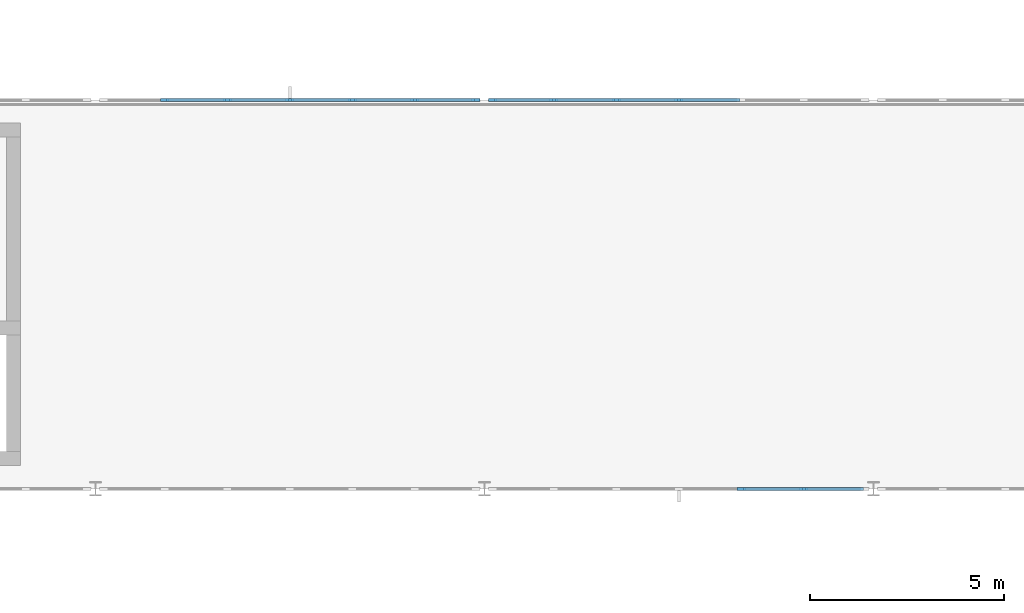
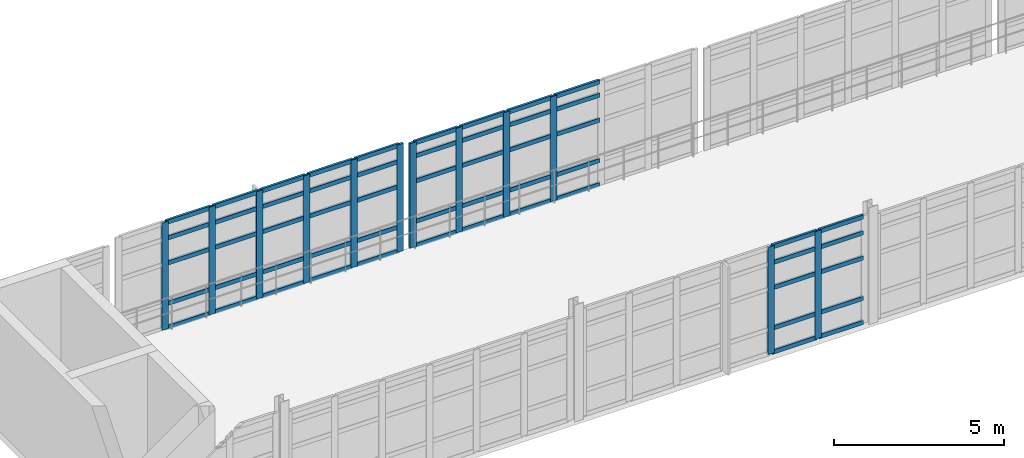
# One storey, part 42 of 122: 67 members, 3 elements without a shape of their own.
"""IFC4 building model written with IfcOpenShell, lengths in metres."""

from ifc_helpers import new_model, si_unit, direction, frame, origin, origin_2d, place, context, subcontext, project, spatial, rectangle, extrude, material, layer, layer_set, material_profile, profile_set, type_object, element, aggregate, save


model = new_model("IFC4")

# Units and contexts
model_context = context("Model", 3, precision=1e-05, world=origin(), true_north=direction((0.0, 1.0)))
body_context = subcontext(model_context, "Body", "Model", "MODEL_VIEW")
ifc_project = project(units=[si_unit("LENGTHUNIT", "METRE"), si_unit("AREAUNIT", "SQUARE_METRE"), si_unit("VOLUMEUNIT", "CUBIC_METRE"), si_unit("PLANEANGLEUNIT", "RADIAN"), si_unit("MASSUNIT", "GRAM", prefix="KILO"), si_unit("THERMODYNAMICTEMPERATUREUNIT", "KELVIN"), si_unit("POWERUNIT", "WATT")], contexts=[model_context])

# Site, building, storey
site_placement = place(None, origin())
site = spatial("IfcSite", under=ifc_project, at=site_placement, CompositionType="ELEMENT")
building_placement = place(site_placement, origin())
building = spatial("IfcBuilding", under=site, at=building_placement, Name="Korenveer Ferry Terminal", CompositionType="ELEMENT")
storey_placement = place(building_placement, frame((0.0, 0.0, 10.199951171875)))
storey = spatial("IfcBuildingStorey", under=building, at=storey_placement, Name="L02", CompositionType="ELEMENT", Elevation=10.199951171875)

# Curtain wall, members
ifc_material_1 = material(Name="Unitised bronze-and-glass curtain wall", Category="glass")
ifc_layer_1 = layer(ifc_material_1, 0.219970703125)
ifc_layer_set_1 = layer_set([ifc_layer_1], Name="Unitised bronze-and-glass curtain wall")
curtain_wall_type_1 = type_object("IfcCurtainWallType", Name="ENV-CW-92", PredefinedType="USERDEFINED", material=ifc_layer_set_1)
curtain_wall_1_placement = place(storey_placement, frame((73.179931640625, 50.0, 0.0)))
curtain_wall_1 = element("IfcCurtainWall", 1, at=curtain_wall_1_placement, inside=storey, type_object=curtain_wall_type_1, Name="Lancet curtain wall CWX-L02-X73-83-Y50-50", ObjectType="UNITISED CURTAIN WALL", PredefinedType="USERDEFINED")
ifc_material_2 = material(Name="Anodised bronze aluminium", Category="aluminium")
ifc_material_profile_1 = material_profile(ifc_material_2, rectangle(XDim=0.074951171875, YDim=0.219970703125, at=origin_2d()), Name="ALU 75x220")
ifc_profile_set_1 = profile_set([ifc_material_profile_1], Name="Anodised bronze aluminium")
member_type_1 = type_object("IfcMemberType", Name="ENV-CWM-75X220", PredefinedType="MULLION", material=ifc_profile_set_1)
member_1_placement = place(storey_placement, frame((79.606689453125, 50.0, 0.0), z_axis=(0.0, 0.0, 1.0), x_axis=(0.0, 1.0, 0.0)))
member_1 = element("IfcMember", 2, at=member_1_placement, type_object=member_type_1, Name="CW-92 mullion 5", PredefinedType="MULLION", context=body_context, shape_type="SweptSolid", body=[
    extrude(rectangle(XDim=0.074951171875, YDim=0.219970703125, at=origin_2d()), origin(), (0.0, 0.0, 1.0), 3.860107421875),
])
member_2_placement = place(storey_placement, frame((81.21337890625, 50.0, 0.0), z_axis=(0.0, 0.0, 1.0), x_axis=(0.0, 1.0, 0.0)))
member_2 = element("IfcMember", 3, at=member_2_placement, type_object=member_type_1, Name="CW-92 mullion 6", PredefinedType="MULLION", context=body_context, shape_type="SweptSolid", body=[
    extrude(rectangle(XDim=0.074951171875, YDim=0.219970703125, at=origin_2d()), origin(), (0.0, 0.0, 1.0), 3.860107421875),
])

curtain_wall_2_placement = place(storey_placement, frame((63.179931640625, 60.0, 0.0)))
curtain_wall_2 = element("IfcCurtainWall", 4, at=curtain_wall_2_placement, inside=storey, type_object=curtain_wall_type_1, Name="Lancet curtain wall CWX-L02-X63-73-Y60-60", ObjectType="UNITISED CURTAIN WALL", PredefinedType="USERDEFINED")
member_3_placement = place(storey_placement, frame((64.78662109375, 60.0, 0.0), z_axis=(0.0, 0.0, 1.0), x_axis=(0.0, 1.0, 0.0)))
member_3 = element("IfcMember", 5, at=member_3_placement, type_object=member_type_1, Name="CW-92 mullion 2", PredefinedType="MULLION", context=body_context, shape_type="SweptSolid", body=[
    extrude(rectangle(XDim=0.074951171875, YDim=0.219970703125, at=origin_2d()), origin(), (0.0, 0.0, 1.0), 3.860107421875),
])
member_4_placement = place(storey_placement, frame((66.393310546875, 60.0, 0.0), z_axis=(0.0, 0.0, 1.0), x_axis=(0.0, 1.0, 0.0)))
member_4 = element("IfcMember", 6, at=member_4_placement, type_object=member_type_1, Name="CW-92 mullion 3", PredefinedType="MULLION", context=body_context, shape_type="SweptSolid", body=[
    extrude(rectangle(XDim=0.074951171875, YDim=0.219970703125, at=origin_2d()), origin(), (0.0, 0.0, 1.0), 3.860107421875),
])
member_5_placement = place(storey_placement, frame((68.0, 60.0, 0.0), z_axis=(0.0, 0.0, 1.0), x_axis=(0.0, 1.0, 0.0)))
member_5 = element("IfcMember", 7, at=member_5_placement, type_object=member_type_1, Name="CW-92 mullion 4", PredefinedType="MULLION", context=body_context, shape_type="SweptSolid", body=[
    extrude(rectangle(XDim=0.074951171875, YDim=0.219970703125, at=origin_2d()), origin(), (0.0, 0.0, 1.0), 3.860107421875),
])
member_6_placement = place(storey_placement, frame((69.606689453125, 60.0, 0.0), z_axis=(0.0, 0.0, 1.0), x_axis=(0.0, 1.0, 0.0)))
member_6 = element("IfcMember", 8, at=member_6_placement, type_object=member_type_1, Name="CW-92 mullion 5", PredefinedType="MULLION", context=body_context, shape_type="SweptSolid", body=[
    extrude(rectangle(XDim=0.074951171875, YDim=0.219970703125, at=origin_2d()), origin(), (0.0, 0.0, 1.0), 3.860107421875),
])
member_7_placement = place(storey_placement, frame((71.21337890625, 60.0, 0.0), z_axis=(0.0, 0.0, 1.0), x_axis=(0.0, 1.0, 0.0)))
member_7 = element("IfcMember", 9, at=member_7_placement, type_object=member_type_1, Name="CW-92 mullion 6", PredefinedType="MULLION", context=body_context, shape_type="SweptSolid", body=[
    extrude(rectangle(XDim=0.074951171875, YDim=0.219970703125, at=origin_2d()), origin(), (0.0, 0.0, 1.0), 3.860107421875),
])
member_8_placement = place(storey_placement, frame((72.782470703125, 60.0, 0.0), z_axis=(0.0, 0.0, 1.0), x_axis=(0.0, 1.0, 0.0)))
member_8 = element("IfcMember", 10, at=member_8_placement, type_object=member_type_1, Name="CW-92 mullion 7", PredefinedType="MULLION", context=body_context, shape_type="SweptSolid", body=[
    extrude(rectangle(XDim=0.074951171875, YDim=0.219970703125, at=origin_2d()), origin(), (0.0, 0.0, 1.0), 3.860107421875),
])

ifc_layer_2 = layer(ifc_material_1, 0.219970703125)
ifc_layer_set_2 = layer_set([ifc_layer_2], Name="Unitised bronze-and-glass curtain wall")
curtain_wall_type_2 = type_object("IfcCurtainWallType", Name="ENV-CW-90", PredefinedType="USERDEFINED", material=ifc_layer_set_2)
curtain_wall_3_placement = place(storey_placement, frame((73.179931640625, 60.0, 0.0)))
curtain_wall_3 = element("IfcCurtainWall", 11, at=curtain_wall_3_placement, inside=storey, type_object=curtain_wall_type_2, Name="Lancet curtain wall CWX-L02-X73-83-Y60-60", ObjectType="UNITISED CURTAIN WALL", PredefinedType="USERDEFINED")
member_9_placement = place(storey_placement, frame((73.217529296875, 60.0, 0.0), z_axis=(0.0, 0.0, 1.0), x_axis=(0.0, 1.0, 0.0)))
member_9 = element("IfcMember", 12, at=member_9_placement, type_object=member_type_1, Name="CW-90 mullion 1", PredefinedType="MULLION", context=body_context, shape_type="SweptSolid", body=[
    extrude(rectangle(XDim=0.074951171875, YDim=0.219970703125, at=origin_2d()), origin(), (0.0, 0.0, 1.0), 3.760009765625),
])
member_10_placement = place(storey_placement, frame((74.78662109375, 60.0, 0.0), z_axis=(0.0, 0.0, 1.0), x_axis=(0.0, 1.0, 0.0)))
member_10 = element("IfcMember", 13, at=member_10_placement, type_object=member_type_1, Name="CW-90 mullion 2", PredefinedType="MULLION", context=body_context, shape_type="SweptSolid", body=[
    extrude(rectangle(XDim=0.074951171875, YDim=0.219970703125, at=origin_2d()), origin(), (0.0, 0.0, 1.0), 3.760009765625),
])
member_11_placement = place(storey_placement, frame((76.393310546875, 60.0, 0.0), z_axis=(0.0, 0.0, 1.0), x_axis=(0.0, 1.0, 0.0)))
member_11 = element("IfcMember", 14, at=member_11_placement, type_object=member_type_1, Name="CW-90 mullion 3", PredefinedType="MULLION", context=body_context, shape_type="SweptSolid", body=[
    extrude(rectangle(XDim=0.074951171875, YDim=0.219970703125, at=origin_2d()), origin(), (0.0, 0.0, 1.0), 3.760009765625),
])
member_12_placement = place(storey_placement, frame((78.0, 60.0, 0.0), z_axis=(0.0, 0.0, 1.0), x_axis=(0.0, 1.0, 0.0)))
member_12 = element("IfcMember", 15, at=member_12_placement, type_object=member_type_1, Name="CW-90 mullion 4", PredefinedType="MULLION", context=body_context, shape_type="SweptSolid", body=[
    extrude(rectangle(XDim=0.074951171875, YDim=0.219970703125, at=origin_2d()), origin(), (0.0, 0.0, 1.0), 3.760009765625),
])

# Member
ifc_material_profile_2 = material_profile(ifc_material_2, rectangle(XDim=0.074951171875, YDim=0.14990234375, at=origin_2d()), Name="ALU 75x150")
ifc_profile_set_2 = profile_set([ifc_material_profile_2], Name="Anodised bronze aluminium")
member_type_2 = type_object("IfcMemberType", Name="ENV-CWT-75X150", PredefinedType="USERDEFINED", material=ifc_profile_set_2)
member_13_placement = place(storey_placement, frame((79.644287109375, 50.0, 0.03759765625), z_axis=(1.0, 0.0, 0.0), x_axis=(0.0, 1.0, 0.0)))
member_13 = element("IfcMember", 16, at=member_13_placement, type_object=member_type_2, Name="CW-92 transom 5.1", ObjectType="TRANSOM", PredefinedType="USERDEFINED", context=body_context, shape_type="SweptSolid", body=[
    extrude(rectangle(XDim=0.074951171875, YDim=0.14990234375, at=origin_2d()), origin(), (0.0, 0.0, 1.0), 1.531494140625),
])

member_14_placement = place(storey_placement, frame((79.644287109375, 50.0, 0.900146484375), z_axis=(1.0, 0.0, 0.0), x_axis=(0.0, 1.0, 0.0)))
member_14 = element("IfcMember", 17, at=member_14_placement, type_object=member_type_2, Name="CW-92 transom 5.2", ObjectType="TRANSOM", PredefinedType="USERDEFINED", context=body_context, shape_type="SweptSolid", body=[
    extrude(rectangle(XDim=0.074951171875, YDim=0.14990234375, at=origin_2d()), origin(), (0.0, 0.0, 1.0), 1.531494140625),
])

member_15_placement = place(storey_placement, frame((79.644287109375, 50.0, 2.35009765625), z_axis=(1.0, 0.0, 0.0), x_axis=(0.0, 1.0, 0.0)))
member_15 = element("IfcMember", 18, at=member_15_placement, type_object=member_type_2, Name="CW-92 transom 5.3", ObjectType="TRANSOM", PredefinedType="USERDEFINED", context=body_context, shape_type="SweptSolid", body=[
    extrude(rectangle(XDim=0.074951171875, YDim=0.14990234375, at=origin_2d()), origin(), (0.0, 0.0, 1.0), 1.531494140625),
])

member_16_placement = place(storey_placement, frame((79.644287109375, 50.0, 3.25), z_axis=(1.0, 0.0, 0.0), x_axis=(0.0, 1.0, 0.0)))
member_16 = element("IfcMember", 19, at=member_16_placement, type_object=member_type_2, Name="CW-92 transom 5.4", ObjectType="TRANSOM", PredefinedType="USERDEFINED", context=body_context, shape_type="SweptSolid", body=[
    extrude(rectangle(XDim=0.074951171875, YDim=0.14990234375, at=origin_2d()), origin(), (0.0, 0.0, 1.0), 1.531494140625),
])

member_17_placement = place(storey_placement, frame((79.644287109375, 50.0, 3.822509765625), z_axis=(1.0, 0.0, 0.0), x_axis=(0.0, 1.0, 0.0)))
member_17 = element("IfcMember", 20, at=member_17_placement, type_object=member_type_2, Name="CW-92 transom 5.5", ObjectType="TRANSOM", PredefinedType="USERDEFINED", context=body_context, shape_type="SweptSolid", body=[
    extrude(rectangle(XDim=0.074951171875, YDim=0.14990234375, at=origin_2d()), origin(), (0.0, 0.0, 1.0), 1.531494140625),
])

member_18_placement = place(storey_placement, frame((81.250732421875, 50.0, 0.03759765625), z_axis=(1.0, 0.0, 0.0), x_axis=(0.0, 1.0, 0.0)))
member_18 = element("IfcMember", 21, at=member_18_placement, type_object=member_type_2, Name="CW-92 transom 6.1", ObjectType="TRANSOM", PredefinedType="USERDEFINED", context=body_context, shape_type="SweptSolid", body=[
    extrude(rectangle(XDim=0.074951171875, YDim=0.14990234375, at=origin_2d()), origin(), (0.0, 0.0, 1.0), 1.494384765625),
])

member_19_placement = place(storey_placement, frame((81.250732421875, 50.0, 0.900146484375), z_axis=(1.0, 0.0, 0.0), x_axis=(0.0, 1.0, 0.0)))
member_19 = element("IfcMember", 22, at=member_19_placement, type_object=member_type_2, Name="CW-92 transom 6.2", ObjectType="TRANSOM", PredefinedType="USERDEFINED", context=body_context, shape_type="SweptSolid", body=[
    extrude(rectangle(XDim=0.074951171875, YDim=0.14990234375, at=origin_2d()), origin(), (0.0, 0.0, 1.0), 1.494384765625),
])

member_20_placement = place(storey_placement, frame((81.250732421875, 50.0, 2.35009765625), z_axis=(1.0, 0.0, 0.0), x_axis=(0.0, 1.0, 0.0)))
member_20 = element("IfcMember", 23, at=member_20_placement, type_object=member_type_2, Name="CW-92 transom 6.3", ObjectType="TRANSOM", PredefinedType="USERDEFINED", context=body_context, shape_type="SweptSolid", body=[
    extrude(rectangle(XDim=0.074951171875, YDim=0.14990234375, at=origin_2d()), origin(), (0.0, 0.0, 1.0), 1.494384765625),
])

member_21_placement = place(storey_placement, frame((81.250732421875, 50.0, 3.25), z_axis=(1.0, 0.0, 0.0), x_axis=(0.0, 1.0, 0.0)))
member_21 = element("IfcMember", 24, at=member_21_placement, type_object=member_type_2, Name="CW-92 transom 6.4", ObjectType="TRANSOM", PredefinedType="USERDEFINED", context=body_context, shape_type="SweptSolid", body=[
    extrude(rectangle(XDim=0.074951171875, YDim=0.14990234375, at=origin_2d()), origin(), (0.0, 0.0, 1.0), 1.494384765625),
])

member_22_placement = place(storey_placement, frame((81.250732421875, 50.0, 3.822509765625), z_axis=(1.0, 0.0, 0.0), x_axis=(0.0, 1.0, 0.0)))
member_22 = element("IfcMember", 25, at=member_22_placement, type_object=member_type_2, Name="CW-92 transom 6.5", ObjectType="TRANSOM", PredefinedType="USERDEFINED", context=body_context, shape_type="SweptSolid", body=[
    extrude(rectangle(XDim=0.074951171875, YDim=0.14990234375, at=origin_2d()), origin(), (0.0, 0.0, 1.0), 1.494384765625),
])

aggregate(curtain_wall_1, [member_1, member_2, member_13, member_14, member_15, member_16, member_17, member_18, member_19, member_20, member_21, member_22])

member_23_placement = place(storey_placement, frame((64.82421875, 60.0, 0.03759765625), z_axis=(1.0, 0.0, 0.0), x_axis=(0.0, 1.0, 0.0)))
member_23 = element("IfcMember", 26, at=member_23_placement, type_object=member_type_2, Name="CW-92 transom 2.1", ObjectType="TRANSOM", PredefinedType="USERDEFINED", context=body_context, shape_type="SweptSolid", body=[
    extrude(rectangle(XDim=0.074951171875, YDim=0.14990234375, at=origin_2d()), origin(), (0.0, 0.0, 1.0), 1.531494140625),
])

member_24_placement = place(storey_placement, frame((64.82421875, 60.0, 0.900146484375), z_axis=(1.0, 0.0, 0.0), x_axis=(0.0, 1.0, 0.0)))
member_24 = element("IfcMember", 27, at=member_24_placement, type_object=member_type_2, Name="CW-92 transom 2.2", ObjectType="TRANSOM", PredefinedType="USERDEFINED", context=body_context, shape_type="SweptSolid", body=[
    extrude(rectangle(XDim=0.074951171875, YDim=0.14990234375, at=origin_2d()), origin(), (0.0, 0.0, 1.0), 1.531494140625),
])

member_25_placement = place(storey_placement, frame((64.82421875, 60.0, 2.35009765625), z_axis=(1.0, 0.0, 0.0), x_axis=(0.0, 1.0, 0.0)))
member_25 = element("IfcMember", 28, at=member_25_placement, type_object=member_type_2, Name="CW-92 transom 2.3", ObjectType="TRANSOM", PredefinedType="USERDEFINED", context=body_context, shape_type="SweptSolid", body=[
    extrude(rectangle(XDim=0.074951171875, YDim=0.14990234375, at=origin_2d()), origin(), (0.0, 0.0, 1.0), 1.531494140625),
])

member_26_placement = place(storey_placement, frame((64.82421875, 60.0, 3.25), z_axis=(1.0, 0.0, 0.0), x_axis=(0.0, 1.0, 0.0)))
member_26 = element("IfcMember", 29, at=member_26_placement, type_object=member_type_2, Name="CW-92 transom 2.4", ObjectType="TRANSOM", PredefinedType="USERDEFINED", context=body_context, shape_type="SweptSolid", body=[
    extrude(rectangle(XDim=0.074951171875, YDim=0.14990234375, at=origin_2d()), origin(), (0.0, 0.0, 1.0), 1.531494140625),
])

member_27_placement = place(storey_placement, frame((64.82421875, 60.0, 3.822509765625), z_axis=(1.0, 0.0, 0.0), x_axis=(0.0, 1.0, 0.0)))
member_27 = element("IfcMember", 30, at=member_27_placement, type_object=member_type_2, Name="CW-92 transom 2.5", ObjectType="TRANSOM", PredefinedType="USERDEFINED", context=body_context, shape_type="SweptSolid", body=[
    extrude(rectangle(XDim=0.074951171875, YDim=0.14990234375, at=origin_2d()), origin(), (0.0, 0.0, 1.0), 1.531494140625),
])

member_28_placement = place(storey_placement, frame((66.430908203125, 60.0, 0.03759765625), z_axis=(1.0, 0.0, 0.0), x_axis=(0.0, 1.0, 0.0)))
member_28 = element("IfcMember", 31, at=member_28_placement, type_object=member_type_2, Name="CW-92 transom 3.1", ObjectType="TRANSOM", PredefinedType="USERDEFINED", context=body_context, shape_type="SweptSolid", body=[
    extrude(rectangle(XDim=0.074951171875, YDim=0.14990234375, at=origin_2d()), origin(), (0.0, 0.0, 1.0), 1.531494140625),
])

member_29_placement = place(storey_placement, frame((66.430908203125, 60.0, 0.900146484375), z_axis=(1.0, 0.0, 0.0), x_axis=(0.0, 1.0, 0.0)))
member_29 = element("IfcMember", 32, at=member_29_placement, type_object=member_type_2, Name="CW-92 transom 3.2", ObjectType="TRANSOM", PredefinedType="USERDEFINED", context=body_context, shape_type="SweptSolid", body=[
    extrude(rectangle(XDim=0.074951171875, YDim=0.14990234375, at=origin_2d()), origin(), (0.0, 0.0, 1.0), 1.531494140625),
])

member_30_placement = place(storey_placement, frame((66.430908203125, 60.0, 2.35009765625), z_axis=(1.0, 0.0, 0.0), x_axis=(0.0, 1.0, 0.0)))
member_30 = element("IfcMember", 33, at=member_30_placement, type_object=member_type_2, Name="CW-92 transom 3.3", ObjectType="TRANSOM", PredefinedType="USERDEFINED", context=body_context, shape_type="SweptSolid", body=[
    extrude(rectangle(XDim=0.074951171875, YDim=0.14990234375, at=origin_2d()), origin(), (0.0, 0.0, 1.0), 1.531494140625),
])

member_31_placement = place(storey_placement, frame((66.430908203125, 60.0, 3.25), z_axis=(1.0, 0.0, 0.0), x_axis=(0.0, 1.0, 0.0)))
member_31 = element("IfcMember", 34, at=member_31_placement, type_object=member_type_2, Name="CW-92 transom 3.4", ObjectType="TRANSOM", PredefinedType="USERDEFINED", context=body_context, shape_type="SweptSolid", body=[
    extrude(rectangle(XDim=0.074951171875, YDim=0.14990234375, at=origin_2d()), origin(), (0.0, 0.0, 1.0), 1.531494140625),
])

member_32_placement = place(storey_placement, frame((66.430908203125, 60.0, 3.822509765625), z_axis=(1.0, 0.0, 0.0), x_axis=(0.0, 1.0, 0.0)))
member_32 = element("IfcMember", 35, at=member_32_placement, type_object=member_type_2, Name="CW-92 transom 3.5", ObjectType="TRANSOM", PredefinedType="USERDEFINED", context=body_context, shape_type="SweptSolid", body=[
    extrude(rectangle(XDim=0.074951171875, YDim=0.14990234375, at=origin_2d()), origin(), (0.0, 0.0, 1.0), 1.531494140625),
])

member_33_placement = place(storey_placement, frame((68.03759765625, 60.0, 0.03759765625), z_axis=(1.0, 0.0, 0.0), x_axis=(0.0, 1.0, 0.0)))
member_33 = element("IfcMember", 36, at=member_33_placement, type_object=member_type_2, Name="CW-92 transom 4.1", ObjectType="TRANSOM", PredefinedType="USERDEFINED", context=body_context, shape_type="SweptSolid", body=[
    extrude(rectangle(XDim=0.074951171875, YDim=0.14990234375, at=origin_2d()), origin(), (0.0, 0.0, 1.0), 1.531494140625),
])

member_34_placement = place(storey_placement, frame((68.03759765625, 60.0, 0.900146484375), z_axis=(1.0, 0.0, 0.0), x_axis=(0.0, 1.0, 0.0)))
member_34 = element("IfcMember", 37, at=member_34_placement, type_object=member_type_2, Name="CW-92 transom 4.2", ObjectType="TRANSOM", PredefinedType="USERDEFINED", context=body_context, shape_type="SweptSolid", body=[
    extrude(rectangle(XDim=0.074951171875, YDim=0.14990234375, at=origin_2d()), origin(), (0.0, 0.0, 1.0), 1.531494140625),
])

member_35_placement = place(storey_placement, frame((68.03759765625, 60.0, 2.35009765625), z_axis=(1.0, 0.0, 0.0), x_axis=(0.0, 1.0, 0.0)))
member_35 = element("IfcMember", 38, at=member_35_placement, type_object=member_type_2, Name="CW-92 transom 4.3", ObjectType="TRANSOM", PredefinedType="USERDEFINED", context=body_context, shape_type="SweptSolid", body=[
    extrude(rectangle(XDim=0.074951171875, YDim=0.14990234375, at=origin_2d()), origin(), (0.0, 0.0, 1.0), 1.531494140625),
])

member_36_placement = place(storey_placement, frame((68.03759765625, 60.0, 3.25), z_axis=(1.0, 0.0, 0.0), x_axis=(0.0, 1.0, 0.0)))
member_36 = element("IfcMember", 39, at=member_36_placement, type_object=member_type_2, Name="CW-92 transom 4.4", ObjectType="TRANSOM", PredefinedType="USERDEFINED", context=body_context, shape_type="SweptSolid", body=[
    extrude(rectangle(XDim=0.074951171875, YDim=0.14990234375, at=origin_2d()), origin(), (0.0, 0.0, 1.0), 1.531494140625),
])

member_37_placement = place(storey_placement, frame((68.03759765625, 60.0, 3.822509765625), z_axis=(1.0, 0.0, 0.0), x_axis=(0.0, 1.0, 0.0)))
member_37 = element("IfcMember", 40, at=member_37_placement, type_object=member_type_2, Name="CW-92 transom 4.5", ObjectType="TRANSOM", PredefinedType="USERDEFINED", context=body_context, shape_type="SweptSolid", body=[
    extrude(rectangle(XDim=0.074951171875, YDim=0.14990234375, at=origin_2d()), origin(), (0.0, 0.0, 1.0), 1.531494140625),
])

member_38_placement = place(storey_placement, frame((69.644287109375, 60.0, 0.03759765625), z_axis=(1.0, 0.0, 0.0), x_axis=(0.0, 1.0, 0.0)))
member_38 = element("IfcMember", 41, at=member_38_placement, type_object=member_type_2, Name="CW-92 transom 5.1", ObjectType="TRANSOM", PredefinedType="USERDEFINED", context=body_context, shape_type="SweptSolid", body=[
    extrude(rectangle(XDim=0.074951171875, YDim=0.14990234375, at=origin_2d()), origin(), (0.0, 0.0, 1.0), 1.531494140625),
])

member_39_placement = place(storey_placement, frame((69.644287109375, 60.0, 0.900146484375), z_axis=(1.0, 0.0, 0.0), x_axis=(0.0, 1.0, 0.0)))
member_39 = element("IfcMember", 42, at=member_39_placement, type_object=member_type_2, Name="CW-92 transom 5.2", ObjectType="TRANSOM", PredefinedType="USERDEFINED", context=body_context, shape_type="SweptSolid", body=[
    extrude(rectangle(XDim=0.074951171875, YDim=0.14990234375, at=origin_2d()), origin(), (0.0, 0.0, 1.0), 1.531494140625),
])

member_40_placement = place(storey_placement, frame((69.644287109375, 60.0, 2.35009765625), z_axis=(1.0, 0.0, 0.0), x_axis=(0.0, 1.0, 0.0)))
member_40 = element("IfcMember", 43, at=member_40_placement, type_object=member_type_2, Name="CW-92 transom 5.3", ObjectType="TRANSOM", PredefinedType="USERDEFINED", context=body_context, shape_type="SweptSolid", body=[
    extrude(rectangle(XDim=0.074951171875, YDim=0.14990234375, at=origin_2d()), origin(), (0.0, 0.0, 1.0), 1.531494140625),
])

member_41_placement = place(storey_placement, frame((69.644287109375, 60.0, 3.25), z_axis=(1.0, 0.0, 0.0), x_axis=(0.0, 1.0, 0.0)))
member_41 = element("IfcMember", 44, at=member_41_placement, type_object=member_type_2, Name="CW-92 transom 5.4", ObjectType="TRANSOM", PredefinedType="USERDEFINED", context=body_context, shape_type="SweptSolid", body=[
    extrude(rectangle(XDim=0.074951171875, YDim=0.14990234375, at=origin_2d()), origin(), (0.0, 0.0, 1.0), 1.531494140625),
])

member_42_placement = place(storey_placement, frame((69.644287109375, 60.0, 3.822509765625), z_axis=(1.0, 0.0, 0.0), x_axis=(0.0, 1.0, 0.0)))
member_42 = element("IfcMember", 45, at=member_42_placement, type_object=member_type_2, Name="CW-92 transom 5.5", ObjectType="TRANSOM", PredefinedType="USERDEFINED", context=body_context, shape_type="SweptSolid", body=[
    extrude(rectangle(XDim=0.074951171875, YDim=0.14990234375, at=origin_2d()), origin(), (0.0, 0.0, 1.0), 1.531494140625),
])

member_43_placement = place(storey_placement, frame((71.250732421875, 60.0, 0.03759765625), z_axis=(1.0, 0.0, 0.0), x_axis=(0.0, 1.0, 0.0)))
member_43 = element("IfcMember", 46, at=member_43_placement, type_object=member_type_2, Name="CW-92 transom 6.1", ObjectType="TRANSOM", PredefinedType="USERDEFINED", context=body_context, shape_type="SweptSolid", body=[
    extrude(rectangle(XDim=0.074951171875, YDim=0.14990234375, at=origin_2d()), origin(), (0.0, 0.0, 1.0), 1.494384765625),
])

member_44_placement = place(storey_placement, frame((71.250732421875, 60.0, 0.900146484375), z_axis=(1.0, 0.0, 0.0), x_axis=(0.0, 1.0, 0.0)))
member_44 = element("IfcMember", 47, at=member_44_placement, type_object=member_type_2, Name="CW-92 transom 6.2", ObjectType="TRANSOM", PredefinedType="USERDEFINED", context=body_context, shape_type="SweptSolid", body=[
    extrude(rectangle(XDim=0.074951171875, YDim=0.14990234375, at=origin_2d()), origin(), (0.0, 0.0, 1.0), 1.494384765625),
])

member_45_placement = place(storey_placement, frame((71.250732421875, 60.0, 2.35009765625), z_axis=(1.0, 0.0, 0.0), x_axis=(0.0, 1.0, 0.0)))
member_45 = element("IfcMember", 48, at=member_45_placement, type_object=member_type_2, Name="CW-92 transom 6.3", ObjectType="TRANSOM", PredefinedType="USERDEFINED", context=body_context, shape_type="SweptSolid", body=[
    extrude(rectangle(XDim=0.074951171875, YDim=0.14990234375, at=origin_2d()), origin(), (0.0, 0.0, 1.0), 1.494384765625),
])

member_46_placement = place(storey_placement, frame((71.250732421875, 60.0, 3.25), z_axis=(1.0, 0.0, 0.0), x_axis=(0.0, 1.0, 0.0)))
member_46 = element("IfcMember", 49, at=member_46_placement, type_object=member_type_2, Name="CW-92 transom 6.4", ObjectType="TRANSOM", PredefinedType="USERDEFINED", context=body_context, shape_type="SweptSolid", body=[
    extrude(rectangle(XDim=0.074951171875, YDim=0.14990234375, at=origin_2d()), origin(), (0.0, 0.0, 1.0), 1.494384765625),
])

member_47_placement = place(storey_placement, frame((71.250732421875, 60.0, 3.822509765625), z_axis=(1.0, 0.0, 0.0), x_axis=(0.0, 1.0, 0.0)))
member_47 = element("IfcMember", 50, at=member_47_placement, type_object=member_type_2, Name="CW-92 transom 6.5", ObjectType="TRANSOM", PredefinedType="USERDEFINED", context=body_context, shape_type="SweptSolid", body=[
    extrude(rectangle(XDim=0.074951171875, YDim=0.14990234375, at=origin_2d()), origin(), (0.0, 0.0, 1.0), 1.494384765625),
])

aggregate(curtain_wall_2, [member_3, member_4, member_5, member_6, member_7, member_8, member_23, member_24, member_25, member_26, member_27, member_28, member_29, member_30, member_31, member_32, member_33, member_34, member_35, member_36, member_37, member_38, member_39, member_40, member_41, member_42, member_43, member_44, member_45, member_46, member_47])

member_48_placement = place(storey_placement, frame((73.2548828125, 60.0, 0.03759765625), z_axis=(1.0, 0.0, 0.0), x_axis=(0.0, 1.0, 0.0)))
member_48 = element("IfcMember", 51, at=member_48_placement, type_object=member_type_2, Name="CW-90 transom 1.1", ObjectType="TRANSOM", PredefinedType="USERDEFINED", context=body_context, shape_type="SweptSolid", body=[
    extrude(rectangle(XDim=0.074951171875, YDim=0.14990234375, at=origin_2d()), origin(), (0.0, 0.0, 1.0), 1.494384765625),
])

member_49_placement = place(storey_placement, frame((73.2548828125, 60.0, 0.900146484375), z_axis=(1.0, 0.0, 0.0), x_axis=(0.0, 1.0, 0.0)))
member_49 = element("IfcMember", 52, at=member_49_placement, type_object=member_type_2, Name="CW-90 transom 1.2", ObjectType="TRANSOM", PredefinedType="USERDEFINED", context=body_context, shape_type="SweptSolid", body=[
    extrude(rectangle(XDim=0.074951171875, YDim=0.14990234375, at=origin_2d()), origin(), (0.0, 0.0, 1.0), 1.494384765625),
])

member_50_placement = place(storey_placement, frame((73.2548828125, 60.0, 2.35009765625), z_axis=(1.0, 0.0, 0.0), x_axis=(0.0, 1.0, 0.0)))
member_50 = element("IfcMember", 53, at=member_50_placement, type_object=member_type_2, Name="CW-90 transom 1.3", ObjectType="TRANSOM", PredefinedType="USERDEFINED", context=body_context, shape_type="SweptSolid", body=[
    extrude(rectangle(XDim=0.074951171875, YDim=0.14990234375, at=origin_2d()), origin(), (0.0, 0.0, 1.0), 1.494384765625),
])

member_51_placement = place(storey_placement, frame((73.2548828125, 60.0, 3.25), z_axis=(1.0, 0.0, 0.0), x_axis=(0.0, 1.0, 0.0)))
member_51 = element("IfcMember", 54, at=member_51_placement, type_object=member_type_2, Name="CW-90 transom 1.4", ObjectType="TRANSOM", PredefinedType="USERDEFINED", context=body_context, shape_type="SweptSolid", body=[
    extrude(rectangle(XDim=0.074951171875, YDim=0.14990234375, at=origin_2d()), origin(), (0.0, 0.0, 1.0), 1.494384765625),
])

member_52_placement = place(storey_placement, frame((73.2548828125, 60.0, 3.72265625), z_axis=(1.0, 0.0, 0.0), x_axis=(0.0, 1.0, 0.0)))
member_52 = element("IfcMember", 55, at=member_52_placement, type_object=member_type_2, Name="CW-90 transom 1.5", ObjectType="TRANSOM", PredefinedType="USERDEFINED", context=body_context, shape_type="SweptSolid", body=[
    extrude(rectangle(XDim=0.074951171875, YDim=0.14990234375, at=origin_2d()), origin(), (0.0, 0.0, 1.0), 1.494384765625),
])

member_53_placement = place(storey_placement, frame((74.82421875, 60.0, 0.03759765625), z_axis=(1.0, 0.0, 0.0), x_axis=(0.0, 1.0, 0.0)))
member_53 = element("IfcMember", 56, at=member_53_placement, type_object=member_type_2, Name="CW-90 transom 2.1", ObjectType="TRANSOM", PredefinedType="USERDEFINED", context=body_context, shape_type="SweptSolid", body=[
    extrude(rectangle(XDim=0.074951171875, YDim=0.14990234375, at=origin_2d()), origin(), (0.0, 0.0, 1.0), 1.531494140625),
])

member_54_placement = place(storey_placement, frame((74.82421875, 60.0, 0.900146484375), z_axis=(1.0, 0.0, 0.0), x_axis=(0.0, 1.0, 0.0)))
member_54 = element("IfcMember", 57, at=member_54_placement, type_object=member_type_2, Name="CW-90 transom 2.2", ObjectType="TRANSOM", PredefinedType="USERDEFINED", context=body_context, shape_type="SweptSolid", body=[
    extrude(rectangle(XDim=0.074951171875, YDim=0.14990234375, at=origin_2d()), origin(), (0.0, 0.0, 1.0), 1.531494140625),
])

member_55_placement = place(storey_placement, frame((74.82421875, 60.0, 2.35009765625), z_axis=(1.0, 0.0, 0.0), x_axis=(0.0, 1.0, 0.0)))
member_55 = element("IfcMember", 58, at=member_55_placement, type_object=member_type_2, Name="CW-90 transom 2.3", ObjectType="TRANSOM", PredefinedType="USERDEFINED", context=body_context, shape_type="SweptSolid", body=[
    extrude(rectangle(XDim=0.074951171875, YDim=0.14990234375, at=origin_2d()), origin(), (0.0, 0.0, 1.0), 1.531494140625),
])

member_56_placement = place(storey_placement, frame((74.82421875, 60.0, 3.25), z_axis=(1.0, 0.0, 0.0), x_axis=(0.0, 1.0, 0.0)))
member_56 = element("IfcMember", 59, at=member_56_placement, type_object=member_type_2, Name="CW-90 transom 2.4", ObjectType="TRANSOM", PredefinedType="USERDEFINED", context=body_context, shape_type="SweptSolid", body=[
    extrude(rectangle(XDim=0.074951171875, YDim=0.14990234375, at=origin_2d()), origin(), (0.0, 0.0, 1.0), 1.531494140625),
])

member_57_placement = place(storey_placement, frame((74.82421875, 60.0, 3.72265625), z_axis=(1.0, 0.0, 0.0), x_axis=(0.0, 1.0, 0.0)))
member_57 = element("IfcMember", 60, at=member_57_placement, type_object=member_type_2, Name="CW-90 transom 2.5", ObjectType="TRANSOM", PredefinedType="USERDEFINED", context=body_context, shape_type="SweptSolid", body=[
    extrude(rectangle(XDim=0.074951171875, YDim=0.14990234375, at=origin_2d()), origin(), (0.0, 0.0, 1.0), 1.531494140625),
])

member_58_placement = place(storey_placement, frame((76.430908203125, 60.0, 0.03759765625), z_axis=(1.0, 0.0, 0.0), x_axis=(0.0, 1.0, 0.0)))
member_58 = element("IfcMember", 61, at=member_58_placement, type_object=member_type_2, Name="CW-90 transom 3.1", ObjectType="TRANSOM", PredefinedType="USERDEFINED", context=body_context, shape_type="SweptSolid", body=[
    extrude(rectangle(XDim=0.074951171875, YDim=0.14990234375, at=origin_2d()), origin(), (0.0, 0.0, 1.0), 1.531494140625),
])

member_59_placement = place(storey_placement, frame((76.430908203125, 60.0, 0.900146484375), z_axis=(1.0, 0.0, 0.0), x_axis=(0.0, 1.0, 0.0)))
member_59 = element("IfcMember", 62, at=member_59_placement, type_object=member_type_2, Name="CW-90 transom 3.2", ObjectType="TRANSOM", PredefinedType="USERDEFINED", context=body_context, shape_type="SweptSolid", body=[
    extrude(rectangle(XDim=0.074951171875, YDim=0.14990234375, at=origin_2d()), origin(), (0.0, 0.0, 1.0), 1.531494140625),
])

member_60_placement = place(storey_placement, frame((76.430908203125, 60.0, 2.35009765625), z_axis=(1.0, 0.0, 0.0), x_axis=(0.0, 1.0, 0.0)))
member_60 = element("IfcMember", 63, at=member_60_placement, type_object=member_type_2, Name="CW-90 transom 3.3", ObjectType="TRANSOM", PredefinedType="USERDEFINED", context=body_context, shape_type="SweptSolid", body=[
    extrude(rectangle(XDim=0.074951171875, YDim=0.14990234375, at=origin_2d()), origin(), (0.0, 0.0, 1.0), 1.531494140625),
])

member_61_placement = place(storey_placement, frame((76.430908203125, 60.0, 3.25), z_axis=(1.0, 0.0, 0.0), x_axis=(0.0, 1.0, 0.0)))
member_61 = element("IfcMember", 64, at=member_61_placement, type_object=member_type_2, Name="CW-90 transom 3.4", ObjectType="TRANSOM", PredefinedType="USERDEFINED", context=body_context, shape_type="SweptSolid", body=[
    extrude(rectangle(XDim=0.074951171875, YDim=0.14990234375, at=origin_2d()), origin(), (0.0, 0.0, 1.0), 1.531494140625),
])

member_62_placement = place(storey_placement, frame((76.430908203125, 60.0, 3.72265625), z_axis=(1.0, 0.0, 0.0), x_axis=(0.0, 1.0, 0.0)))
member_62 = element("IfcMember", 65, at=member_62_placement, type_object=member_type_2, Name="CW-90 transom 3.5", ObjectType="TRANSOM", PredefinedType="USERDEFINED", context=body_context, shape_type="SweptSolid", body=[
    extrude(rectangle(XDim=0.074951171875, YDim=0.14990234375, at=origin_2d()), origin(), (0.0, 0.0, 1.0), 1.531494140625),
])

member_63_placement = place(storey_placement, frame((78.03759765625, 60.0, 0.03759765625), z_axis=(1.0, 0.0, 0.0), x_axis=(0.0, 1.0, 0.0)))
member_63 = element("IfcMember", 66, at=member_63_placement, type_object=member_type_2, Name="CW-90 transom 4.1", ObjectType="TRANSOM", PredefinedType="USERDEFINED", context=body_context, shape_type="SweptSolid", body=[
    extrude(rectangle(XDim=0.074951171875, YDim=0.14990234375, at=origin_2d()), origin(), (0.0, 0.0, 1.0), 1.531494140625),
])

member_64_placement = place(storey_placement, frame((78.03759765625, 60.0, 0.900146484375), z_axis=(1.0, 0.0, 0.0), x_axis=(0.0, 1.0, 0.0)))
member_64 = element("IfcMember", 67, at=member_64_placement, type_object=member_type_2, Name="CW-90 transom 4.2", ObjectType="TRANSOM", PredefinedType="USERDEFINED", context=body_context, shape_type="SweptSolid", body=[
    extrude(rectangle(XDim=0.074951171875, YDim=0.14990234375, at=origin_2d()), origin(), (0.0, 0.0, 1.0), 1.531494140625),
])

member_65_placement = place(storey_placement, frame((78.03759765625, 60.0, 2.35009765625), z_axis=(1.0, 0.0, 0.0), x_axis=(0.0, 1.0, 0.0)))
member_65 = element("IfcMember", 68, at=member_65_placement, type_object=member_type_2, Name="CW-90 transom 4.3", ObjectType="TRANSOM", PredefinedType="USERDEFINED", context=body_context, shape_type="SweptSolid", body=[
    extrude(rectangle(XDim=0.074951171875, YDim=0.14990234375, at=origin_2d()), origin(), (0.0, 0.0, 1.0), 1.531494140625),
])

member_66_placement = place(storey_placement, frame((78.03759765625, 60.0, 3.25), z_axis=(1.0, 0.0, 0.0), x_axis=(0.0, 1.0, 0.0)))
member_66 = element("IfcMember", 69, at=member_66_placement, type_object=member_type_2, Name="CW-90 transom 4.4", ObjectType="TRANSOM", PredefinedType="USERDEFINED", context=body_context, shape_type="SweptSolid", body=[
    extrude(rectangle(XDim=0.074951171875, YDim=0.14990234375, at=origin_2d()), origin(), (0.0, 0.0, 1.0), 1.531494140625),
])

member_67_placement = place(storey_placement, frame((78.03759765625, 60.0, 3.72265625), z_axis=(1.0, 0.0, 0.0), x_axis=(0.0, 1.0, 0.0)))
member_67 = element("IfcMember", 70, at=member_67_placement, type_object=member_type_2, Name="CW-90 transom 4.5", ObjectType="TRANSOM", PredefinedType="USERDEFINED", context=body_context, shape_type="SweptSolid", body=[
    extrude(rectangle(XDim=0.074951171875, YDim=0.14990234375, at=origin_2d()), origin(), (0.0, 0.0, 1.0), 1.531494140625),
])

aggregate(curtain_wall_3, [member_9, member_10, member_11, member_12, member_48, member_49, member_50, member_51, member_52, member_53, member_54, member_55, member_56, member_57, member_58, member_59, member_60, member_61, member_62, member_63, member_64, member_65, member_66, member_67])

save(model, "model.ifc")
